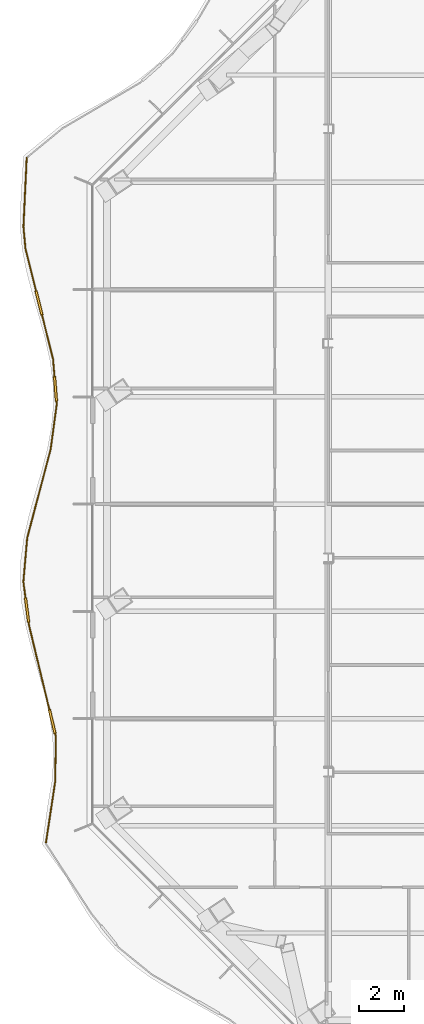
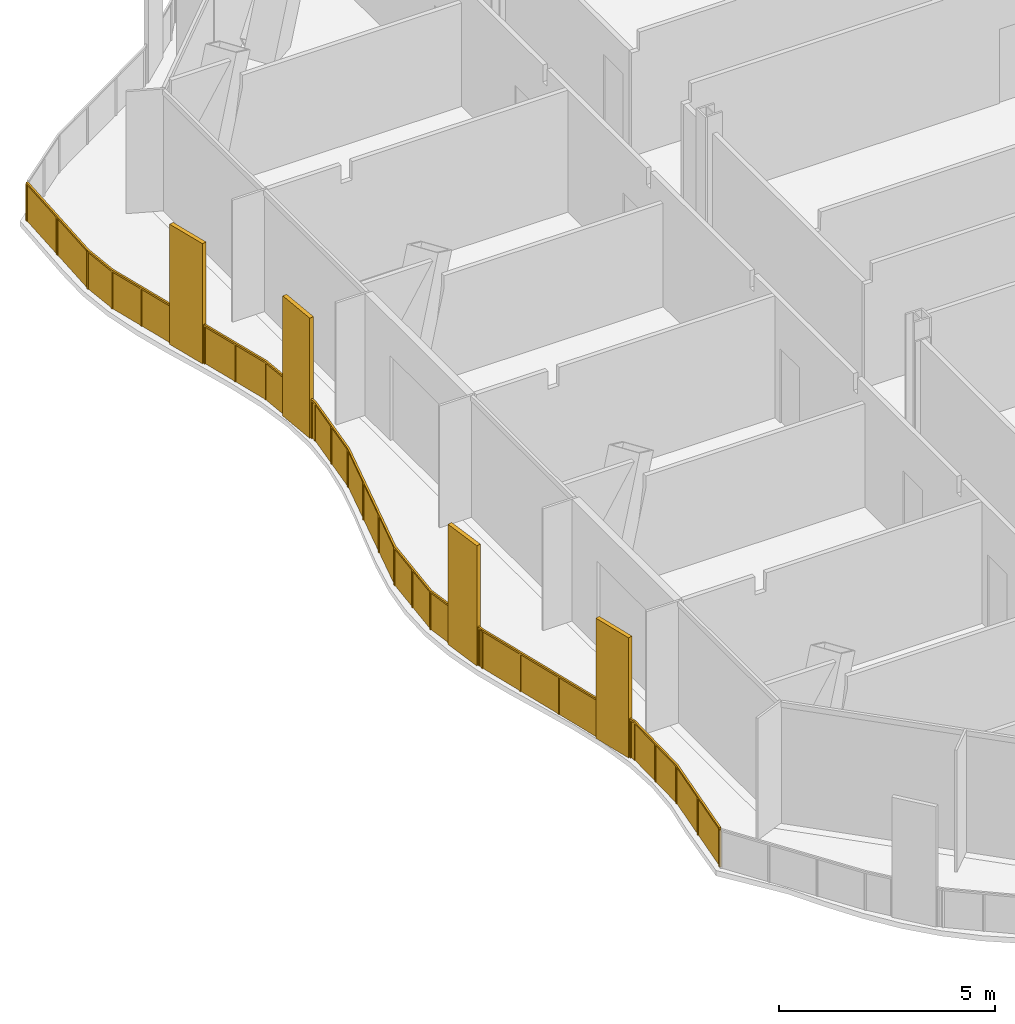
# One storey, part 14 of 20: 1 railing.
"""IFC4 building model written with IfcOpenShell, lengths in metres."""

from ifc_helpers import new_model, si_unit, direction, frame, origin, origin_2d, place, context, subcontext, project, spatial, polyline, rectangle, outline, extrude, material, type_object, element, save


model = new_model("IFC4")

# Units and contexts
model_context = context("Model", 3, precision=1e-05, world=origin(), true_north=direction((0.0, 1.0)))
body_context = subcontext(model_context, "Body", "Model", "MODEL_VIEW")
ifc_project = project(units=[si_unit("LENGTHUNIT", "METRE"), si_unit("AREAUNIT", "SQUARE_METRE"), si_unit("VOLUMEUNIT", "CUBIC_METRE"), si_unit("PLANEANGLEUNIT", "RADIAN"), si_unit("MASSUNIT", "GRAM", prefix="KILO")], contexts=[model_context])

# Site, building, storey
site_placement = place(None, origin())
site = spatial("IfcSite", under=ifc_project, at=site_placement, CompositionType="ELEMENT")
building_placement = place(site_placement, origin())
building = spatial("IfcBuilding", under=site, at=building_placement, Name="Cairn Pilgrim Tower", CompositionType="ELEMENT")
storey_placement = place(building_placement, frame((0.0, 0.0, 101.39990234375)))
storey = spatial("IfcBuildingStorey", under=building, at=storey_placement, Name="L24", CompositionType="ELEMENT", Elevation=101.39990234375)

# Railing
ifc_material = material(Name="Bronze anodised aluminium rail, posts and fin screens with laminated glass infill", Category="aluminium")
railing_type = type_object("IfcRailingType", Name="BALCONY GUARD WITH FIN SCREENS", PredefinedType="GUARDRAIL", material=ifc_material)
railing_placement = place(storey_placement, frame((-27.897705078125, 17.904541015625, 0.0)))
element("IfcRailing", 1, at=railing_placement, inside=storey, type_object=railing_type, Name="Balcony guard BGF-7 with fin screens", PredefinedType="GUARDRAIL", context=body_context, shape_type="SweptSolid", body=[
    extrude(rectangle(XDim=0.050048828125, YDim=0.050048828125, at=origin_2d()), frame((0.0, 0.0, 1.0751953125), z_axis=(-0.047313709278, -0.998880079346, 0.0), x_axis=(0.998880079346, -0.047313709278, 0.0)), (0.0, 0.0, 1.0), 3.0908203125),
    extrude(rectangle(XDim=0.050048828125, YDim=0.050048828125, at=origin_2d()), frame((-0.146240234375, -3.08740234375, 1.0751953125), z_axis=(0.091348063399, -0.995819025382, 0.0), x_axis=(0.995819025382, 0.091348063399, 0.0)), (0.0, 0.0, 1.0), 0.9755859375),
    extrude(rectangle(XDim=1.10009765625, YDim=0.110107421875, at=origin_2d()), frame((0.551513671875, -6.50146484375, 0.0), z_axis=(0.0, 0.0, 1.0), x_axis=(0.241805982742, -0.970324619244, 0.0)), (0.0, 0.0, 1.0), 3.39990234375),
    extrude(rectangle(XDim=0.050048828125, YDim=0.050048828125, at=origin_2d()), frame((-0.05712890625, -4.058837890625, 1.0751953125), z_axis=(0.241805982742, -0.970324619244, 0.0), x_axis=(0.970324619244, 0.241805982742, 0.0)), (0.0, 0.0, 1.0), 1.967529296875),
    extrude(rectangle(XDim=0.050048828125, YDim=0.050048828125, at=origin_2d()), frame((0.6845703125, -7.03515625, 1.0751953125), z_axis=(0.241805982742, -0.970324619244, 0.0), x_axis=(0.970324619244, 0.241805982742, 0.0)), (0.0, 0.0, 1.0), 2.050537109375),
    extrude(rectangle(XDim=1.10009765625, YDim=0.110107421875, at=origin_2d()), frame((1.287841796875, -10.341796875, 0.0), z_axis=(0.0, 0.0, 1.0), x_axis=(0.081286102126, -0.996690809429, 0.0)), (0.0, 0.0, 1.0), 3.39990234375),
    extrude(rectangle(XDim=0.050048828125, YDim=0.050048828125, at=origin_2d()), frame((1.180419921875, -9.02490234375, 1.0751953125), z_axis=(0.081286102126, -0.996690809429, 0.0), x_axis=(0.996690809429, 0.081286102126, 0.0)), (0.0, 0.0, 1.0), 0.771240234375),
    extrude(rectangle(XDim=0.050048828125, YDim=0.050048828125, at=origin_2d()), frame((1.33251953125, -10.889892578125, 1.0751953125), z_axis=(0.081286102126, -0.996690809429, 0.0), x_axis=(0.996690809429, 0.081286102126, 0.0)), (0.0, 0.0, 1.0), 0.150146484375),
    extrude(rectangle(XDim=0.050048828125, YDim=0.050048828125, at=origin_2d()), frame((1.3447265625, -11.03955078125, 1.0751953125), z_axis=(-0.134447733915, -0.990920686455, 0.0), x_axis=(0.990920686455, -0.134447733915, 0.0)), (0.0, 0.0, 1.0), 2.030029296875),
    extrude(rectangle(XDim=0.050048828125, YDim=0.050048828125, at=origin_2d()), frame((1.07177734375, -13.05126953125, 1.0751953125), z_axis=(-0.255722558622, -0.966750212315, 0.0), x_axis=(0.966750212315, -0.255722558622, 0.0)), (0.0, 0.0, 1.0), 4.105224609375),
    extrude(rectangle(XDim=0.050048828125, YDim=0.050048828125, at=origin_2d()), frame((0.02197265625, -17.02001953125, 1.0751953125), z_axis=(-0.086983513266, -0.996209751217, 0.0), x_axis=(0.996209751217, -0.086983513266, 0.0)), (0.0, 0.0, 1.0), 1.96484375),
    extrude(rectangle(XDim=1.10009765625, YDim=0.110107421875, at=origin_2d()), frame((0.01611328125, -20.244873046875, 0.0), z_axis=(0.0, 0.0, 1.0), x_axis=(0.129075408284, -0.991634781044, 0.0)), (0.0, 0.0, 1.0), 3.39990234375),
    extrude(rectangle(XDim=0.050048828125, YDim=0.050048828125, at=origin_2d()), frame((-0.14892578125, -18.977294921875, 1.0751953125), z_axis=(0.129075408284, -0.991634781044, 0.0), x_axis=(0.991634781044, 0.129075408284, 0.0)), (0.0, 0.0, 1.0), 0.728271484375),
    extrude(rectangle(XDim=0.050048828125, YDim=0.050048828125, at=origin_2d()), frame((0.087158203125, -20.790283203125, 1.0751953125), z_axis=(0.129075408284, -0.991634781044, 0.0), x_axis=(0.991634781044, 0.129075408284, 0.0)), (0.0, 0.0, 1.0), 0.150146484375),
    extrude(rectangle(XDim=1.10009765625, YDim=0.110107421875, at=origin_2d()), frame((1.14306640625, -25.23486328125, 0.0), z_axis=(0.0, 0.0, 1.0), x_axis=(0.234593913167, -0.972093460478, 0.0)), (0.0, 0.0, 1.0), 3.39990234375),
    extrude(rectangle(XDim=0.050048828125, YDim=0.050048828125, at=origin_2d()), frame((0.1064453125, -20.939208984375, 1.0751953125), z_axis=(0.234593913167, -0.972093460478, 0.0), x_axis=(0.972093460478, 0.234593913167, 0.0)), (0.0, 0.0, 1.0), 3.869140625),
    extrude(rectangle(XDim=0.050048828125, YDim=0.050048828125, at=origin_2d()), frame((1.272216796875, -25.76953125, 1.0751953125), z_axis=(0.234593913167, -0.972093460478, 0.0), x_axis=(0.972093460478, 0.234593913167, 0.0)), (0.0, 0.0, 1.0), 0.150146484375),
    extrude(rectangle(XDim=0.050048828125, YDim=0.050048828125, at=origin_2d()), frame((1.307373046875, -25.91552734375, 1.0751953125), z_axis=(-0.01695698011, -0.999856220076, 0.0), x_axis=(0.999856220076, -0.01695698011, 0.0)), (0.0, 0.0, 1.0), 2.015625),
    extrude(rectangle(XDim=0.050048828125, YDim=0.050048828125, at=origin_2d()), frame((1.273193359375, -27.930908203125, 1.0751953125), z_axis=(-0.149055341344, -0.988828855372, 0.0), x_axis=(0.988828855372, -0.149055341344, 0.0)), (0.0, 0.0, 1.0), 2.738525390625),
    extrude(rectangle(XDim=0.050048828125, YDim=0.050048828125, at=origin_2d()), origin(), (0.0, 0.0, 1.0), 1.050048828125),
    extrude(rectangle(XDim=0.050048828125, YDim=0.050048828125, at=origin_2d()), frame((-0.0732421875, -1.543701171875, 0.0)), (0.0, 0.0, 1.0), 1.050048828125),
    extrude(rectangle(XDim=0.050048828125, YDim=0.050048828125, at=origin_2d()), frame((-0.146240234375, -3.08740234375, 0.0)), (0.0, 0.0, 1.0), 1.050048828125),
    extrude(rectangle(XDim=0.050048828125, YDim=0.050048828125, at=origin_2d()), frame((-0.05712890625, -4.058837890625, 0.0)), (0.0, 0.0, 1.0), 1.050048828125),
    extrude(rectangle(XDim=0.050048828125, YDim=0.050048828125, at=origin_2d()), frame((0.177734375, -5.001220703125, 0.0)), (0.0, 0.0, 1.0), 1.050048828125),
    extrude(rectangle(XDim=0.050048828125, YDim=0.050048828125, at=origin_2d()), frame((0.41259765625, -5.943603515625, 0.0)), (0.0, 0.0, 1.0), 1.050048828125),
    extrude(rectangle(XDim=0.050048828125, YDim=0.050048828125, at=origin_2d()), frame((0.690673828125, -7.0595703125, 0.0)), (0.0, 0.0, 1.0), 1.050048828125),
    extrude(rectangle(XDim=0.050048828125, YDim=0.050048828125, at=origin_2d()), frame((0.935546875, -8.042236328125, 0.0)), (0.0, 0.0, 1.0), 1.050048828125),
    extrude(rectangle(XDim=0.050048828125, YDim=0.050048828125, at=origin_2d()), frame((1.180419921875, -9.02490234375, 0.0)), (0.0, 0.0, 1.0), 1.050048828125),
    extrude(rectangle(XDim=0.050048828125, YDim=0.050048828125, at=origin_2d()), frame((1.240966796875, -9.768798828125, 0.0)), (0.0, 0.0, 1.0), 1.050048828125),
    extrude(rectangle(XDim=0.050048828125, YDim=0.050048828125, at=origin_2d()), frame((1.33447265625, -10.9150390625, 0.0)), (0.0, 0.0, 1.0), 1.050048828125),
    extrude(rectangle(XDim=0.050048828125, YDim=0.050048828125, at=origin_2d()), frame((1.3447265625, -11.03955078125, 0.0)), (0.0, 0.0, 1.0), 1.050048828125),
    extrude(rectangle(XDim=0.050048828125, YDim=0.050048828125, at=origin_2d()), frame((1.208251953125, -12.04541015625, 0.0)), (0.0, 0.0, 1.0), 1.050048828125),
    extrude(rectangle(XDim=0.050048828125, YDim=0.050048828125, at=origin_2d()), frame((1.07177734375, -13.05126953125, 0.0)), (0.0, 0.0, 1.0), 1.050048828125),
    extrude(rectangle(XDim=0.050048828125, YDim=0.050048828125, at=origin_2d()), frame((0.721923828125, -14.374267578125, 0.0)), (0.0, 0.0, 1.0), 1.050048828125),
    extrude(rectangle(XDim=0.050048828125, YDim=0.050048828125, at=origin_2d()), frame((0.371826171875, -15.697021484375, 0.0)), (0.0, 0.0, 1.0), 1.050048828125),
    extrude(rectangle(XDim=0.050048828125, YDim=0.050048828125, at=origin_2d()), frame((0.02197265625, -17.02001953125, 0.0)), (0.0, 0.0, 1.0), 1.050048828125),
    extrude(rectangle(XDim=0.050048828125, YDim=0.050048828125, at=origin_2d()), frame((-0.0634765625, -17.99853515625, 0.0)), (0.0, 0.0, 1.0), 1.050048828125),
    extrude(rectangle(XDim=0.050048828125, YDim=0.050048828125, at=origin_2d()), frame((-0.14892578125, -18.977294921875, 0.0)), (0.0, 0.0, 1.0), 1.050048828125),
    extrude(rectangle(XDim=0.050048828125, YDim=0.050048828125, at=origin_2d()), frame((-0.05810546875, -19.6748046875, 0.0)), (0.0, 0.0, 1.0), 1.050048828125),
    extrude(rectangle(XDim=0.050048828125, YDim=0.050048828125, at=origin_2d()), frame((0.09033203125, -20.815185546875, 0.0)), (0.0, 0.0, 1.0), 1.050048828125),
    extrude(rectangle(XDim=0.050048828125, YDim=0.050048828125, at=origin_2d()), frame((0.1064453125, -20.939208984375, 0.0)), (0.0, 0.0, 1.0), 1.050048828125),
    extrude(rectangle(XDim=0.050048828125, YDim=0.050048828125, at=origin_2d()), frame((0.406982421875, -22.184814453125, 0.0)), (0.0, 0.0, 1.0), 1.050048828125),
    extrude(rectangle(XDim=0.050048828125, YDim=0.050048828125, at=origin_2d()), frame((0.70751953125, -23.430419921875, 0.0)), (0.0, 0.0, 1.0), 1.050048828125),
    extrude(rectangle(XDim=0.050048828125, YDim=0.050048828125, at=origin_2d()), frame((1.00830078125, -24.676025390625, 0.0)), (0.0, 0.0, 1.0), 1.050048828125),
    extrude(rectangle(XDim=0.050048828125, YDim=0.050048828125, at=origin_2d()), frame((1.278076171875, -25.7939453125, 0.0)), (0.0, 0.0, 1.0), 1.050048828125),
    extrude(rectangle(XDim=0.050048828125, YDim=0.050048828125, at=origin_2d()), frame((1.307373046875, -25.91552734375, 0.0)), (0.0, 0.0, 1.0), 1.050048828125),
    extrude(rectangle(XDim=0.050048828125, YDim=0.050048828125, at=origin_2d()), frame((1.290283203125, -26.92333984375, 0.0)), (0.0, 0.0, 1.0), 1.050048828125),
    extrude(rectangle(XDim=0.050048828125, YDim=0.050048828125, at=origin_2d()), frame((1.273193359375, -27.930908203125, 0.0)), (0.0, 0.0, 1.0), 1.050048828125),
    extrude(rectangle(XDim=0.050048828125, YDim=0.050048828125, at=origin_2d()), frame((1.069091796875, -29.284912109375, 0.0)), (0.0, 0.0, 1.0), 1.050048828125),
    extrude(rectangle(XDim=0.050048828125, YDim=0.050048828125, at=origin_2d()), frame((0.864990234375, -30.638916015625, 0.0)), (0.0, 0.0, 1.0), 1.050048828125),
    extrude(outline(polyline([(0.02490234375, 0.0), (1.5205078125, 0.0), (1.5205078125, 1.050048828125), (0.02490234375, 1.050048828125), (0.02490234375, 0.0)])), frame((0.005859375, -0.000244140625, 0.0), z_axis=(-0.998880079346, 0.047313709278, 0.0), x_axis=(-0.047313709278, -0.998880079346, 0.0)), (0.0, 0.0, 1.0), 0.011962890625),
    extrude(outline(polyline([(0.02490234375, 0.0), (1.5205078125, 0.0), (1.5205078125, 1.050048828125), (0.02490234375, 1.050048828125), (0.02490234375, 0.0)])), frame((-0.067138671875, -1.5439453125, 0.0), z_axis=(-0.998880079346, 0.047313709278, 0.0), x_axis=(-0.047313709278, -0.998880079346, 0.0)), (0.0, 0.0, 1.0), 0.011962890625),
    extrude(outline(polyline([(0.02490234375, 0.0), (0.950439453125, 0.0), (0.950439453125, 1.050048828125), (0.02490234375, 1.050048828125), (0.02490234375, 0.0)])), frame((-0.140380859375, -3.0869140625, 0.0), z_axis=(-0.995819025382, -0.091348063399, 0.0), x_axis=(0.091348063399, -0.995819025382, 0.0)), (0.0, 0.0, 1.0), 0.011962890625),
    extrude(outline(polyline([(0.02490234375, 0.0), (0.9462890625, 0.0), (0.9462890625, 1.050048828125), (0.02490234375, 1.050048828125), (0.02490234375, 0.0)])), frame((-0.05126953125, -4.057373046875, 0.0), z_axis=(-0.970324619244, -0.241805982742, 0.0), x_axis=(0.241805982742, -0.970324619244, 0.0)), (0.0, 0.0, 1.0), 0.011962890625),
    extrude(outline(polyline([(0.02490234375, 0.0), (0.9462890625, 0.0), (0.9462890625, 1.050048828125), (0.02490234375, 1.050048828125), (0.02490234375, 0.0)])), frame((0.18359375, -4.999755859375, 0.0), z_axis=(-0.970324619244, -0.241805982742, 0.0), x_axis=(0.241805982742, -0.970324619244, 0.0)), (0.0, 0.0, 1.0), 0.011962890625),
    extrude(outline(polyline([(0.02490234375, 0.0), (0.98779296875, 0.0), (0.98779296875, 1.050048828125), (0.02490234375, 1.050048828125), (0.02490234375, 0.0)])), frame((0.696533203125, -7.05810546875, 0.0), z_axis=(-0.970324619244, -0.241805982742, 0.0), x_axis=(0.241805982742, -0.970324619244, 0.0)), (0.0, 0.0, 1.0), 0.011962890625),
    extrude(outline(polyline([(0.02490234375, 0.0), (0.98779296875, 0.0), (0.98779296875, 1.050048828125), (0.02490234375, 1.050048828125), (0.02490234375, 0.0)])), frame((0.94140625, -8.040771484375, 0.0), z_axis=(-0.970324619244, -0.241805982742, 0.0), x_axis=(0.241805982742, -0.970324619244, 0.0)), (0.0, 0.0, 1.0), 0.011962890625),
    extrude(outline(polyline([(0.02490234375, 0.0), (0.72119140625, 0.0), (0.72119140625, 1.050048828125), (0.02490234375, 1.050048828125), (0.02490234375, 0.0)])), frame((1.186279296875, -9.0244140625, 0.0), z_axis=(-0.996690809429, -0.081286102126, 0.0), x_axis=(0.081286102126, -0.996690809429, 0.0)), (0.0, 0.0, 1.0), 0.011962890625),
    extrude(outline(polyline([(0.02490234375, 0.0), (0.10009765625, 0.0), (0.10009765625, 1.050048828125), (0.02490234375, 1.050048828125), (0.02490234375, 0.0)])), frame((1.340576171875, -10.91455078125, 0.0), z_axis=(-0.996690809429, -0.081286102126, 0.0), x_axis=(0.081286102126, -0.996690809429, 0.0)), (0.0, 0.0, 1.0), 0.011962890625),
    extrude(outline(polyline([(0.02490234375, 0.0), (0.989990234375, 0.0), (0.989990234375, 1.050048828125), (0.02490234375, 1.050048828125), (0.02490234375, 0.0)])), frame((1.3505859375, -11.040283203125, 0.0), z_axis=(-0.990920686455, 0.134447733915, 0.0), x_axis=(-0.134447733915, -0.990920686455, 0.0)), (0.0, 0.0, 1.0), 0.011962890625),
    extrude(outline(polyline([(0.02490234375, 0.0), (0.989990234375, 0.0), (0.989990234375, 1.050048828125), (0.02490234375, 1.050048828125), (0.02490234375, 0.0)])), frame((1.214111328125, -12.046142578125, 0.0), z_axis=(-0.990920686455, 0.134447733915, 0.0), x_axis=(-0.134447733915, -0.990920686455, 0.0)), (0.0, 0.0, 1.0), 0.011962890625),
    extrude(outline(polyline([(0.02490234375, 0.0), (1.343505859375, 0.0), (1.343505859375, 1.050048828125), (0.02490234375, 1.050048828125), (0.02490234375, 0.0)])), frame((1.07763671875, -13.052734375, 0.0), z_axis=(-0.966750212315, 0.255722558622, 0.0), x_axis=(-0.255722558622, -0.966750212315, 0.0)), (0.0, 0.0, 1.0), 0.011962890625),
    extrude(outline(polyline([(0.02490234375, 0.0), (1.343505859375, 0.0), (1.343505859375, 1.050048828125), (0.02490234375, 1.050048828125), (0.02490234375, 0.0)])), frame((0.7275390625, -14.375732421875, 0.0), z_axis=(-0.966750212315, 0.255722558622, 0.0), x_axis=(-0.255722558622, -0.966750212315, 0.0)), (0.0, 0.0, 1.0), 0.011962890625),
    extrude(outline(polyline([(0.02490234375, 0.0), (1.343505859375, 0.0), (1.343505859375, 1.050048828125), (0.02490234375, 1.050048828125), (0.02490234375, 0.0)])), frame((0.377685546875, -15.69873046875, 0.0), z_axis=(-0.966750212315, 0.255722558622, 0.0), x_axis=(-0.255722558622, -0.966750212315, 0.0)), (0.0, 0.0, 1.0), 0.011962890625),
    extrude(outline(polyline([(0.02490234375, 0.0), (0.957275390625, 0.0), (0.957275390625, 1.050048828125), (0.02490234375, 1.050048828125), (0.02490234375, 0.0)])), frame((0.02783203125, -17.0205078125, 0.0), z_axis=(-0.996209751217, 0.086983513266, 0.0), x_axis=(-0.086983513266, -0.996209751217, 0.0)), (0.0, 0.0, 1.0), 0.011962890625),
    extrude(outline(polyline([(0.02490234375, 0.0), (0.957275390625, 0.0), (0.957275390625, 1.050048828125), (0.02490234375, 1.050048828125), (0.02490234375, 0.0)])), frame((-0.0576171875, -17.999267578125, 0.0), z_axis=(-0.996209751217, 0.086983513266, 0.0), x_axis=(-0.086983513266, -0.996209751217, 0.0)), (0.0, 0.0, 1.0), 0.011962890625),
    extrude(outline(polyline([(0.02490234375, 0.0), (0.67822265625, 0.0), (0.67822265625, 1.050048828125), (0.02490234375, 1.050048828125), (0.02490234375, 0.0)])), frame((-0.14306640625, -18.9765625, 0.0), z_axis=(-0.991634781044, -0.129075408284, 0.0), x_axis=(0.129075408284, -0.991634781044, 0.0)), (0.0, 0.0, 1.0), 0.011962890625),
    extrude(outline(polyline([(0.02490234375, 0.0), (0.10009765625, 0.0), (0.10009765625, 1.050048828125), (0.02490234375, 1.050048828125), (0.02490234375, 0.0)])), frame((0.09619140625, -20.814453125, 0.0), z_axis=(-0.991634781044, -0.129075408284, 0.0), x_axis=(0.129075408284, -0.991634781044, 0.0)), (0.0, 0.0, 1.0), 0.011962890625),
    extrude(outline(polyline([(0.02490234375, 0.0), (1.25634765625, 0.0), (1.25634765625, 1.050048828125), (0.02490234375, 1.050048828125), (0.02490234375, 0.0)])), frame((0.1123046875, -20.937744140625, 0.0), z_axis=(-0.972093460478, -0.234593913167, 0.0), x_axis=(0.234593913167, -0.972093460478, 0.0)), (0.0, 0.0, 1.0), 0.011962890625),
    extrude(outline(polyline([(0.02490234375, 0.0), (1.25634765625, 0.0), (1.25634765625, 1.050048828125), (0.02490234375, 1.050048828125), (0.02490234375, 0.0)])), frame((0.412841796875, -22.183349609375, 0.0), z_axis=(-0.972093460478, -0.234593913167, 0.0), x_axis=(0.234593913167, -0.972093460478, 0.0)), (0.0, 0.0, 1.0), 0.011962890625),
    extrude(outline(polyline([(0.02490234375, 0.0), (1.25634765625, 0.0), (1.25634765625, 1.050048828125), (0.02490234375, 1.050048828125), (0.02490234375, 0.0)])), frame((0.71337890625, -23.428955078125, 0.0), z_axis=(-0.972093460478, -0.234593913167, 0.0), x_axis=(0.234593913167, -0.972093460478, 0.0)), (0.0, 0.0, 1.0), 0.011962890625),
    extrude(outline(polyline([(0.02490234375, 0.0), (0.10009765625, 0.0), (0.10009765625, 1.050048828125), (0.02490234375, 1.050048828125), (0.02490234375, 0.0)])), frame((1.283935546875, -25.79248046875, 0.0), z_axis=(-0.972093460478, -0.234593913167, 0.0), x_axis=(0.234593913167, -0.972093460478, 0.0)), (0.0, 0.0, 1.0), 0.011962890625),
    extrude(outline(polyline([(0.02490234375, 0.0), (0.98291015625, 0.0), (0.98291015625, 1.050048828125), (0.02490234375, 1.050048828125), (0.02490234375, 0.0)])), frame((1.313232421875, -25.91552734375, 0.0), z_axis=(-0.999856220076, 0.01695698011, 0.0), x_axis=(-0.01695698011, -0.999856220076, 0.0)), (0.0, 0.0, 1.0), 0.011962890625),
    extrude(outline(polyline([(0.02490234375, 0.0), (0.98291015625, 0.0), (0.98291015625, 1.050048828125), (0.02490234375, 1.050048828125), (0.02490234375, 0.0)])), frame((1.296142578125, -26.92333984375, 0.0), z_axis=(-0.999856220076, 0.01695698011, 0.0), x_axis=(-0.01695698011, -0.999856220076, 0.0)), (0.0, 0.0, 1.0), 0.011962890625),
    extrude(outline(polyline([(0.02490234375, 0.0), (1.34423828125, 0.0), (1.34423828125, 1.050048828125), (0.02490234375, 1.050048828125), (0.02490234375, 0.0)])), frame((1.279052734375, -27.931884765625, 0.0), z_axis=(-0.988828855372, 0.149055341344, 0.0), x_axis=(-0.149055341344, -0.988828855372, 0.0)), (0.0, 0.0, 1.0), 0.011962890625),
    extrude(outline(polyline([(0.02490234375, 0.0), (1.34423828125, 0.0), (1.34423828125, 1.050048828125), (0.02490234375, 1.050048828125), (0.02490234375, 0.0)])), frame((1.074951171875, -29.285888671875, 0.0), z_axis=(-0.988828855372, 0.149055341344, 0.0), x_axis=(-0.149055341344, -0.988828855372, 0.0)), (0.0, 0.0, 1.0), 0.011962890625),
])

save(model, "model.ifc")
